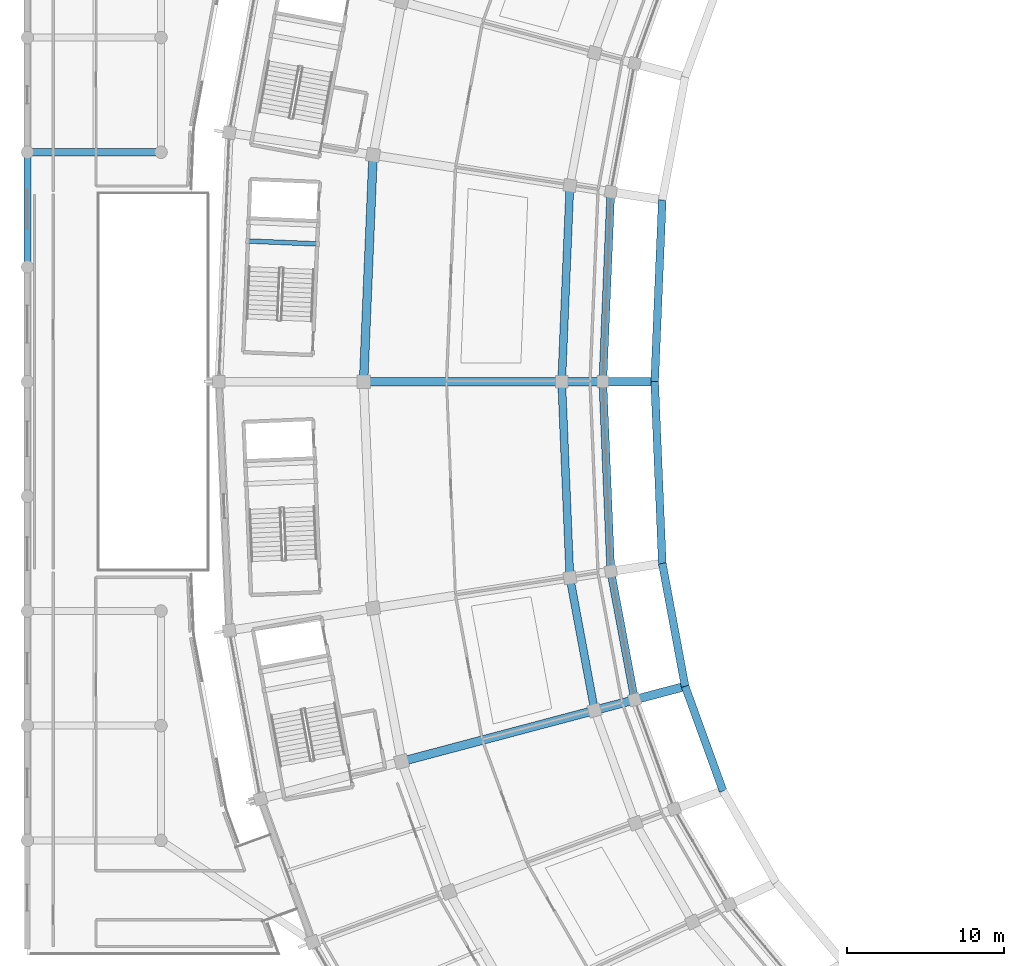
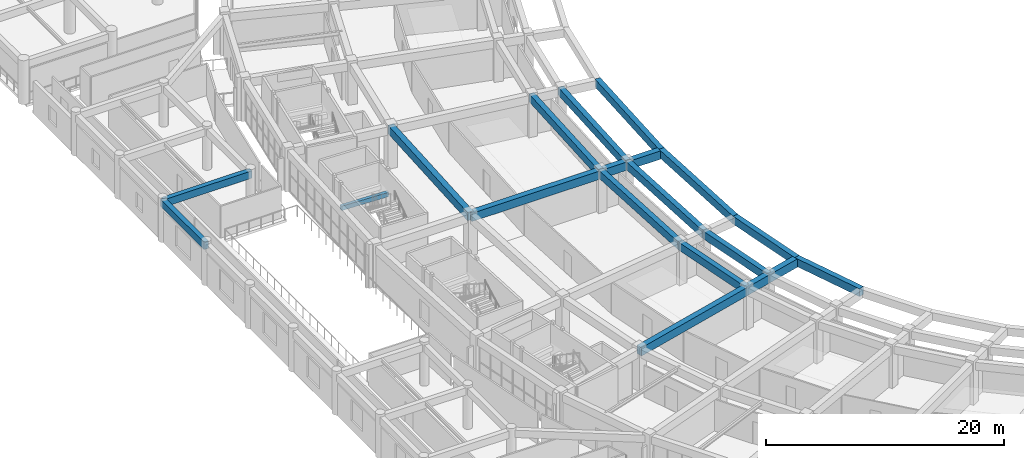
# One storey, part 28 of 145: 16 beams.
"""IFC4 building model written with IfcOpenShell, lengths in metres."""

from ifc_helpers import new_model, si_unit, direction, frame, origin, origin_2d, place, context, subcontext, project, spatial, rectangle, extrude, material, material_profile, profile_set, type_object, element, save


model = new_model("IFC4")

# Units and contexts
model_context = context("Model", 3, precision=1e-05, world=origin(), true_north=direction((0.0, 1.0)))
body_context = subcontext(model_context, "Body", "Model", "MODEL_VIEW")
ifc_project = project(units=[si_unit("LENGTHUNIT", "METRE"), si_unit("AREAUNIT", "SQUARE_METRE"), si_unit("VOLUMEUNIT", "CUBIC_METRE"), si_unit("PLANEANGLEUNIT", "RADIAN"), si_unit("MASSUNIT", "GRAM", prefix="KILO")], contexts=[model_context])

# Site, building, storey
site_placement = place(None, origin())
site = spatial("IfcSite", under=ifc_project, at=site_placement, CompositionType="ELEMENT")
building_placement = place(site_placement, origin())
building = spatial("IfcBuilding", under=site, at=building_placement, Name="Mphavela Belvedere Stadium", CompositionType="ELEMENT")
storey_placement = place(building_placement, frame((0.0, 0.0, 10.199951171875)))
storey = spatial("IfcBuildingStorey", under=building, at=storey_placement, Name="L02", CompositionType="ELEMENT", Elevation=10.199951171875)

# Beams
ifc_material_1 = material(Name="Concrete C40/50", Category="concrete")
ifc_material_profile_1 = material_profile(ifc_material_1, rectangle(XDim=0.300048828125, YDim=0.449951171875, at=origin_2d()), Name="RC 300x450")
ifc_profile_set_1 = profile_set([ifc_material_profile_1], Name="Concrete C40/50")
beam_type_1 = type_object("IfcBeamType", Name="BM-RC300x450", PredefinedType="BEAM", material=ifc_profile_set_1)
beam_1_placement = place(storey_placement, frame((18.47021484375, 95.76318359375, 1.824951171875), z_axis=(-0.999122153252, 0.04189179968, 0.0), x_axis=(-0.04189179968, -0.999122153252, 0.0)))
element("IfcBeam", 1, at=beam_1_placement, inside=storey, type_object=beam_type_1, Name="Core C07 landing trimmer beam L02-1", PredefinedType="BEAM", context=body_context, shape_type="SweptSolid", body=[
    extrude(rectangle(XDim=0.300048828125, YDim=0.449951171875, at=origin_2d()), origin(), (0.0, 0.0, 1.0), 4.469970703125),
])
ifc_material_2 = material(Name="Concrete C40/50", Category="concrete")
ifc_material_profile_2 = material_profile(ifc_material_2, rectangle(XDim=0.449951171875, YDim=0.75, at=origin_2d()), Name="RC 450x750")
ifc_profile_set_2 = profile_set([ifc_material_profile_2], Name="Concrete C40/50")
beam_type_2 = type_object("IfcBeamType", Name="BM-RC450x750", PredefinedType="BEAM", material=ifc_profile_set_2)
beam_2_placement = place(storey_placement, frame((0.0, 94.300048828125, 3.864990234375), z_axis=(0.0, 1.0, 0.0), x_axis=(-1.0, 0.0, 0.0)))
element("IfcBeam", 2, at=beam_2_placement, inside=storey, type_object=beam_type_2, Name="West Planted Eaves Peristyle Colonnade entablature beam Y L02 1-7", PredefinedType="BEAM", context=body_context, shape_type="SweptSolid", body=[
    extrude(rectangle(XDim=0.449951171875, YDim=0.75, at=origin_2d()), origin(), (0.0, 0.0, 1.0), 7.300048828125),
])
beam_3_placement = place(storey_placement, frame((0.0, 101.60009765625, 3.864990234375), z_axis=(1.0, 0.0, 0.0), x_axis=(0.0, 1.0, 0.0)))
element("IfcBeam", 3, at=beam_3_placement, inside=storey, type_object=beam_type_2, Name="West Planted Eaves Peristyle Colonnade entablature beam X L02 1-8", PredefinedType="BEAM", context=body_context, shape_type="SweptSolid", body=[
    extrude(rectangle(XDim=0.449951171875, YDim=0.75, at=origin_2d()), origin(), (0.0, 0.0, 1.0), 8.5),
])
ifc_material_3 = material(Name="Concrete C40/50", Category="concrete")
ifc_material_profile_3 = material_profile(ifc_material_3, rectangle(XDim=0.5, YDim=0.800048828125, at=origin_2d()), Name="RC 500x800")
ifc_profile_set_3 = profile_set([ifc_material_profile_3], Name="Concrete C40/50")
beam_type_3 = type_object("IfcBeamType", Name="BM-RC500x800", PredefinedType="BEAM", material=ifc_profile_set_3)
beam_4_placement = place(storey_placement, frame((37.130615234375, 99.078125, 3.85009765625), z_axis=(-0.041906072647, -0.999121554705, 0.0), x_axis=(0.999121554705, -0.041906072647, 0.0)))
element("IfcBeam", 4, at=beam_4_placement, inside=storey, type_object=beam_type_3, Name="Circumferential girder L02 R1-24", PredefinedType="BEAM", context=body_context, shape_type="SweptSolid", body=[
    extrude(rectangle(XDim=0.5, YDim=0.800048828125, at=origin_2d()), origin(), (0.0, 0.0, 1.0), 12.088623046875),
])
beam_5_placement = place(storey_placement, frame((34.528564453125, 99.481689453125, 3.85009765625), z_axis=(-0.04191911123, -0.999121007743, 0.0), x_axis=(0.999121007743, -0.04191911123, 0.0)))
element("IfcBeam", 5, at=beam_5_placement, inside=storey, type_object=beam_type_3, Name="Circumferential girder L02 R2-24", PredefinedType="BEAM", context=body_context, shape_type="SweptSolid", body=[
    extrude(rectangle(XDim=0.5, YDim=0.800048828125, at=origin_2d()), origin(), (0.0, 0.0, 1.0), 12.49267578125),
])
beam_6_placement = place(storey_placement, frame((36.6240234375, 87.0, 3.85009765625), z_axis=(0.041906072647, -0.999121554705, 0.0), x_axis=(0.999121554705, 0.041906072647, 0.0)))
element("IfcBeam", 6, at=beam_6_placement, inside=storey, type_object=beam_type_3, Name="Circumferential girder L02 R1-25", PredefinedType="BEAM", context=body_context, shape_type="SweptSolid", body=[
    extrude(rectangle(XDim=0.5, YDim=0.800048828125, at=origin_2d()), origin(), (0.0, 0.0, 1.0), 12.088623046875),
])
beam_7_placement = place(storey_placement, frame((34.0048828125, 87.0, 3.85009765625), z_axis=(0.04191911123, -0.999121007743, 0.0), x_axis=(0.999121007743, 0.04191911123, 0.0)))
element("IfcBeam", 7, at=beam_7_placement, inside=storey, type_object=beam_type_3, Name="Circumferential girder L02 R2-25", PredefinedType="BEAM", context=body_context, shape_type="SweptSolid", body=[
    extrude(rectangle(XDim=0.5, YDim=0.800048828125, at=origin_2d()), origin(), (0.0, 0.0, 1.0), 12.49267578125),
])
beam_8_placement = place(storey_placement, frame((37.130615234375, 74.921875, 3.85009765625), z_axis=(0.182638448973, -0.983180144712, 0.0), x_axis=(0.983180144712, 0.182638448973, 0.0)))
element("IfcBeam", 8, at=beam_8_placement, inside=storey, type_object=beam_type_3, Name="Circumferential girder L02 R1-26", PredefinedType="BEAM", context=body_context, shape_type="SweptSolid", body=[
    extrude(rectangle(XDim=0.5, YDim=0.800048828125, at=origin_2d()), origin(), (0.0, 0.0, 1.0), 8.30908203125),
])
beam_9_placement = place(storey_placement, frame((34.528564453125, 74.518310546875, 3.85009765625), z_axis=(0.182614573179, -0.983184579651, 0.0), x_axis=(0.983184579651, 0.182614573179, 0.0)))
element("IfcBeam", 9, at=beam_9_placement, inside=storey, type_object=beam_type_3, Name="Circumferential girder L02 R2-26", PredefinedType="BEAM", context=body_context, shape_type="SweptSolid", body=[
    extrude(rectangle(XDim=0.5, YDim=0.800048828125, at=origin_2d()), origin(), (0.0, 0.0, 1.0), 8.5869140625),
])
for number, where, z_axis, x_axis, name in (
    (10, (40.4072265625, 98.56982421875, 3.85009765625), (-0.04189186986, -0.99912215031, 0.0), (0.99912215031, -0.04189186986, 0.0), "Upper tier front sightline ring beam 24"),
    (11, (39.922119140625, 87.0, 3.85009765625), (0.04189186986, -0.99912215031, 0.0), (0.99912215031, 0.04189186986, 0.0), "Upper tier front sightline ring beam 25"),
):
    element("IfcBeam", number, at=place(storey_placement, frame(where, z_axis=z_axis, x_axis=x_axis)), inside=storey, type_object=beam_type_3, Name=name, PredefinedType="BEAM", context=body_context, shape_type="SweptSolid", body=[
        extrude(rectangle(XDim=0.5, YDim=0.800048828125, at=origin_2d()), origin(), (0.0, 0.0, 1.0), 11.580078125),
    ])
beam_10_placement = place(storey_placement, frame((40.4072265625, 75.43017578125, 3.85009765625), z_axis=(0.18262523239, -0.983182599772, 0.0), x_axis=(0.983182599772, 0.18262523239, 0.0)))
element("IfcBeam", 12, at=beam_10_placement, inside=storey, type_object=beam_type_3, Name="Upper tier front sightline ring beam 26", PredefinedType="BEAM", context=body_context, shape_type="SweptSolid", body=[
    extrude(rectangle(XDim=0.5, YDim=0.800048828125, at=origin_2d()), origin(), (0.0, 0.0, 1.0), 7.95947265625),
])
beam_11_placement = place(storey_placement, frame((41.86083984375, 67.6044921875, 3.85009765625), z_axis=(0.341056708776, -0.940042723178, 0.0), x_axis=(0.940042723178, 0.341056708776, 0.0)))
element("IfcBeam", 13, at=beam_11_placement, inside=storey, type_object=beam_type_3, Name="Upper tier front sightline ring beam 27", PredefinedType="BEAM", context=body_context, shape_type="SweptSolid", body=[
    extrude(rectangle(XDim=0.5, YDim=0.800048828125, at=origin_2d()), origin(), (0.0, 0.0, 1.0), 7.083984375),
])
ifc_material_4 = material(Name="Concrete C40/50", Category="concrete")
ifc_material_profile_4 = material_profile(ifc_material_4, rectangle(XDim=0.550048828125, YDim=0.85009765625, at=origin_2d()), Name="RC 550x850")
ifc_profile_set_4 = profile_set([ifc_material_profile_4], Name="Concrete C40/50")
beam_type_4 = type_object("IfcBeamType", Name="BM-RC550x850", PredefinedType="BEAM", material=ifc_profile_set_4)
beam_12_placement = place(storey_placement, frame((22.0, 101.4248046875, 3.824951171875), z_axis=(-0.041903450766, -0.99912166467, 0.0), x_axis=(0.99912166467, -0.041903450766, 0.0)))
element("IfcBeam", 14, at=beam_12_placement, inside=storey, type_object=beam_type_4, Name="Circumferential girder L02 R3-24", PredefinedType="BEAM", context=body_context, shape_type="SweptSolid", body=[
    extrude(rectangle(XDim=0.550048828125, YDim=0.85009765625, at=origin_2d()), origin(), (0.0, 0.0, 1.0), 14.4375),
])
beam_13_placement = place(storey_placement, frame((39.922119140625, 87.0, 3.824951171875), z_axis=(-1.0, 0.0, 0.0), x_axis=(0.0, -1.0, 0.0)))
element("IfcBeam", 15, at=beam_13_placement, inside=storey, type_object=beam_type_4, Name="Upper tier box-front outrigger girder 25", PredefinedType="BEAM", context=body_context, shape_type="SweptSolid", body=[
    extrude(rectangle(XDim=0.550048828125, YDim=0.85009765625, at=origin_2d()), origin(), (0.0, 0.0, 1.0), 18.527099609375),
])
beam_14_placement = place(storey_placement, frame((41.86083984375, 67.6044921875, 3.824951171875), z_axis=(-0.96658754532, -0.256336726267, 0.0), x_axis=(0.256336726267, -0.96658754532, 0.0)))
element("IfcBeam", 16, at=beam_14_placement, inside=storey, type_object=beam_type_4, Name="Upper tier box-front outrigger girder 27", PredefinedType="BEAM", context=body_context, shape_type="SweptSolid", body=[
    extrude(rectangle(XDim=0.550048828125, YDim=0.85009765625, at=origin_2d()), origin(), (0.0, 0.0, 1.0), 18.672119140625),
])

save(model, "model.ifc")
